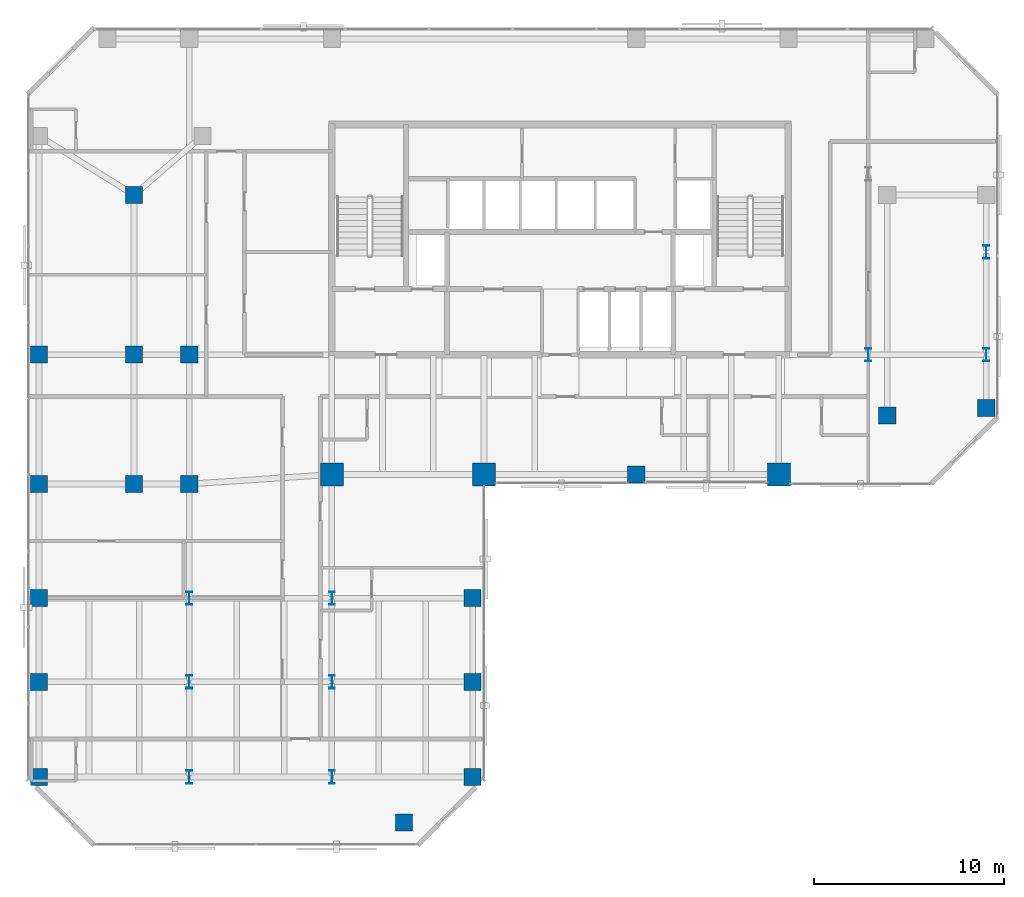
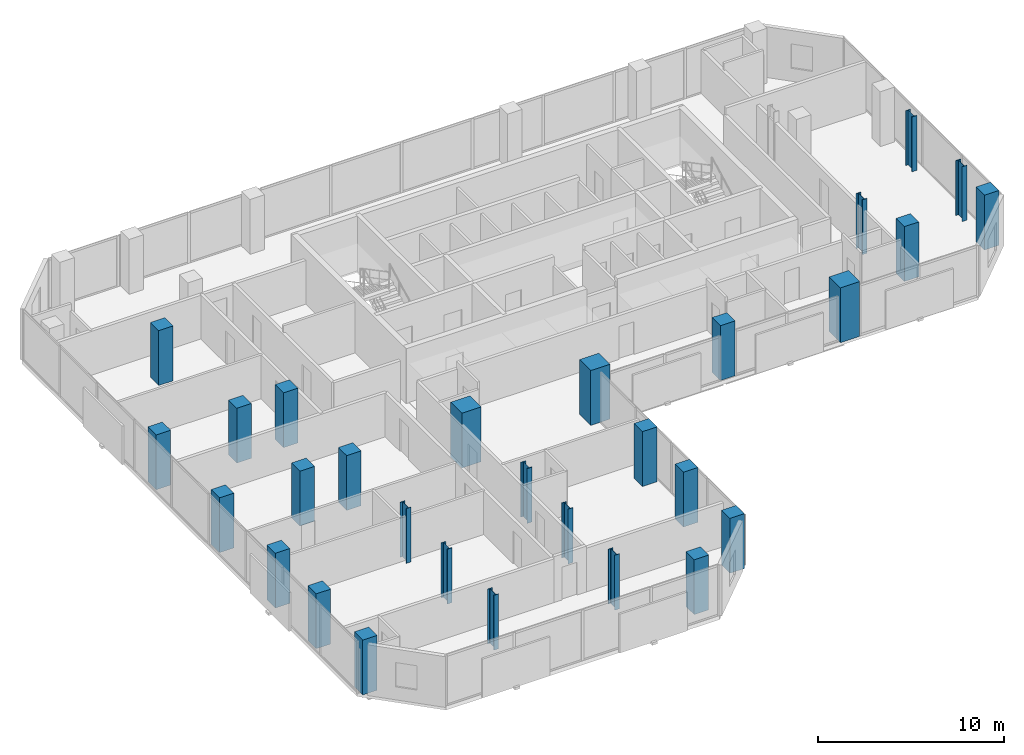
# One storey, part 1 of 33: 29 columns.
"""IFC4 building model written with IfcOpenShell, lengths in metres."""

from ifc_helpers import new_model, si_unit, direction, frame, origin, origin_2d, place, context, subcontext, project, spatial, rectangle, i_section, extrude, material, material_profile, profile_set, type_object, element, save


model = new_model("IFC4")

# Units and contexts
model_context = context("Model", 3, precision=1e-05, world=origin(), true_north=direction((0.0, 1.0)))
body_context = subcontext(model_context, "Body", "Model", "MODEL_VIEW")
ifc_project = project(units=[si_unit("LENGTHUNIT", "METRE"), si_unit("AREAUNIT", "SQUARE_METRE"), si_unit("VOLUMEUNIT", "CUBIC_METRE"), si_unit("PLANEANGLEUNIT", "RADIAN"), si_unit("MASSUNIT", "GRAM", prefix="KILO")], contexts=[model_context])

# Site, building, storey
site_placement = place(None, origin())
site = spatial("IfcSite", under=ifc_project, at=site_placement, CompositionType="ELEMENT")
building_placement = place(site_placement, origin())
building = spatial("IfcBuilding", under=site, at=building_placement, Name="Catumbela Crestline Tower", CompositionType="ELEMENT")
storey_placement = place(building_placement, frame((0.0, 0.0, 104.4)))
storey = spatial("IfcBuildingStorey", under=building, at=storey_placement, Name="L26", CompositionType="ELEMENT", Elevation=104.4)

# Columns
ifc_material_1 = material(Name="Concrete C50/60", Category="concrete")
ifc_material_profile_1 = material_profile(ifc_material_1, rectangle(XDim=1.2, YDim=1.2, at=origin_2d()), Name="RC 1200x1200")
ifc_profile_set_1 = profile_set([ifc_material_profile_1], Name="Concrete C50/60")
column_type_1 = type_object("IfcColumnType", Name="C-RC1200-C50", PredefinedType="COLUMN", material=ifc_profile_set_1)
for number, where, z_axis, x_axis, name in (
    (1, (16.0, 24.5, 0.0), (0.0, 0.0, 1.0), (1.0, 0.0, 0.0), "L26 Column C-16-24 (RC 1200x1200)"),
    (2, (24.0, 24.5, 0.0), (0.0, 0.0, 1.0), (1.0, 0.0, 0.0), "L26 Column C-24-24 (RC 1200x1200)"),
    (3, (39.5, 24.5, 0.0), (0.0, 0.0, 1.0), (1.0, 0.0, 0.0), "L26 Column C-40-24 (RC 1200x1200)"),
):
    element("IfcColumn", number, at=place(storey_placement, frame(where, z_axis=z_axis, x_axis=x_axis)), inside=storey, type_object=column_type_1, Name=name, PredefinedType="COLUMN", context=body_context, shape_type="SweptSolid", body=[
        extrude(rectangle(XDim=1.2, YDim=1.2, at=origin_2d()), origin(), (0.0, 0.0, 1.0), 3.6),
    ])
ifc_material_profile_2 = material_profile(ifc_material_1, rectangle(XDim=0.9, YDim=0.9, at=origin_2d()), Name="RC 900x900")
ifc_profile_set_2 = profile_set([ifc_material_profile_2], Name="Concrete C50/60")
column_type_2 = type_object("IfcColumnType", Name="C-RC900-C50", PredefinedType="COLUMN", material=ifc_profile_set_2)
for number, where, z_axis, x_axis, name in (
    (4, (8.5, 24.0, 0.0), (0.0, 0.0, 1.0), (1.0, 0.0, 0.0), "L26 Column C-08-24 (RC 900x900)"),
    (5, (32.0, 24.5, 0.0), (0.0, 0.0, 1.0), (1.0, 0.0, 0.0), "L26 Column C-32-24 (RC 900x900)"),
    (6, (5.6, 24.0, 0.0), (0.0, 0.0, 1.0), (1.0, 0.0, 0.0), "L26 Column C-05-24 (RC 900x900)"),
    (7, (5.6, 30.8, 0.0), (0.0, 0.0, 1.0), (1.0, 0.0, 0.0), "L26 Column C-05-31 (RC 900x900)"),
    (8, (5.6, 39.2, 0.0), (0.0, 0.0, 1.0), (1.0, 0.0, 0.0), "L26 Column C-05-43 (RC 900x900)"),
    (9, (8.5, 30.8, 0.0), (0.0, 0.0, 1.0), (1.0, 0.0, 0.0), "L26 Column C-08-31 (RC 900x900)"),
    (10, (45.2, 27.6, 0.0), (0.0, 0.0, 1.0), (1.0, 0.0, 0.0), "L26 Column C-46-24 (RC 900x900)"),
    (11, (0.6, 24.0, 0.0), (0.0, 0.0, 1.0), (1.0, 0.0, 0.0), "L26 Column C-00-24 (RC 900x900)"),
    (12, (0.6, 30.8, 0.0), (0.0, 0.0, 1.0), (1.0, 0.0, 0.0), "L26 Column C-00-31 (RC 900x900)"),
    (13, (50.4, 28.0, 0.0), (0.0, 0.0, 1.0), (1.0, 0.0, 0.0), "L26 Column C-51-24 (RC 900x900)"),
    (14, (0.6, 8.6, 0.0), (0.0, 0.0, 1.0), (1.0, 0.0, 0.0), "L26 Column C-00-05 (RC 900x900)"),
    (15, (0.6, 13.6, 0.0), (0.0, 0.0, 1.0), (1.0, 0.0, 0.0), "L26 Column C-00-10 (RC 900x900)"),
    (16, (0.6, 18.0, 0.0), (0.0, 0.0, 1.0), (1.0, 0.0, 0.0), "L26 Column C-00-16 (RC 900x900)"),
    (17, (19.8, 6.2, 0.0), (0.0, 0.0, 1.0), (1.0, 0.0, 0.0), "L26 Column C-24-05 (RC 900x900)"),
    (18, (23.4, 8.6, 0.0), (0.0, 0.0, 1.0), (1.0, 0.0, 0.0), "L26 Column C-23-08 (RC 900x900)"),
    (19, (23.4, 13.6, 0.0), (0.0, 0.0, 1.0), (1.0, 0.0, 0.0), "L26 Column C-24-10 (RC 900x900)"),
    (20, (23.4, 18.0, 0.0), (0.0, 0.0, 1.0), (1.0, 0.0, 0.0), "L26 Column C-24-16 (RC 900x900)"),
):
    element("IfcColumn", number, at=place(storey_placement, frame(where, z_axis=z_axis, x_axis=x_axis)), inside=storey, type_object=column_type_2, Name=name, PredefinedType="COLUMN", context=body_context, shape_type="SweptSolid", body=[
        extrude(rectangle(XDim=0.9, YDim=0.9, at=origin_2d()), origin(), (0.0, 0.0, 1.0), 3.6),
    ])
ifc_material_2 = material(Name="Structural steel S460M", Category="steel")
ifc_material_profile_3 = material_profile(ifc_material_2, i_section(OverallWidth=0.3, OverallDepth=0.7, WebThickness=0.017, FlangeThickness=0.032, FilletRadius=0.027, at=origin_2d()), Name="HEB 700")
ifc_profile_set_3 = profile_set([ifc_material_profile_3], Name="Structural steel S460M")
column_type_3 = type_object("IfcColumnType", Name="C-ST-HEB700", PredefinedType="COLUMN", material=ifc_profile_set_3)
for number, where, z_axis, x_axis, name in (
    (21, (8.5, 8.6, 0.0), (0.0, 0.0, 1.0), (1.0, 0.0, 0.0), "L26 Column CT-05-05 (HEB 700)"),
    (22, (16.0, 8.6, 0.0), (0.0, 0.0, 1.0), (1.0, 0.0, 0.0), "L26 Column CT-14-05 (HEB 700)"),
    (23, (8.5, 13.6, 0.0), (0.0, 0.0, 1.0), (1.0, 0.0, 0.0), "L26 Column CT-05-10 (HEB 700)"),
    (24, (16.0, 13.6, 0.0), (0.0, 0.0, 1.0), (1.0, 0.0, 0.0), "L26 Column CT-14-10 (HEB 700)"),
    (25, (8.5, 18.0, 0.0), (0.0, 0.0, 1.0), (1.0, 0.0, 0.0), "L26 Column CT-05-16 (HEB 700)"),
    (26, (16.0, 18.0, 0.0), (0.0, 0.0, 1.0), (1.0, 0.0, 0.0), "L26 Column CT-14-16 (HEB 700)"),
    (27, (44.2, 30.8, 0.0), (0.0, 0.0, 1.0), (1.0, 0.0, 0.0), "L26 Column CT-46-31 (HEB 700)"),
    (28, (50.4, 30.8, 0.0), (0.0, 0.0, 1.0), (1.0, 0.0, 0.0), "L26 Column CT-51-31 (HEB 700)"),
    (29, (50.4, 36.2, 0.0), (0.0, 0.0, 1.0), (1.0, 0.0, 0.0), "L26 Column CT-51-37 (HEB 700)"),
):
    element("IfcColumn", number, at=place(storey_placement, frame(where, z_axis=z_axis, x_axis=x_axis)), inside=storey, type_object=column_type_3, Name=name, PredefinedType="COLUMN", context=body_context, shape_type="SweptSolid", body=[
        extrude(i_section(OverallWidth=0.3, OverallDepth=0.7, WebThickness=0.017, FlangeThickness=0.032, FilletRadius=0.027, at=origin_2d()), origin(), (0.0, 0.0, 1.0), 3.6),
    ])

save(model, "model.ifc")
